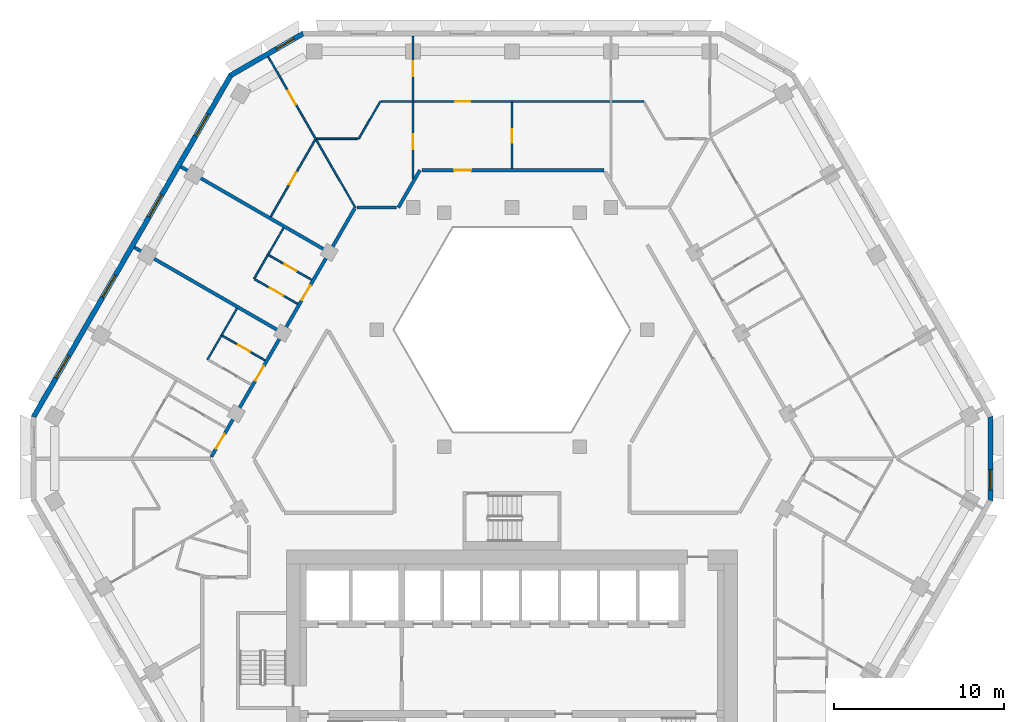
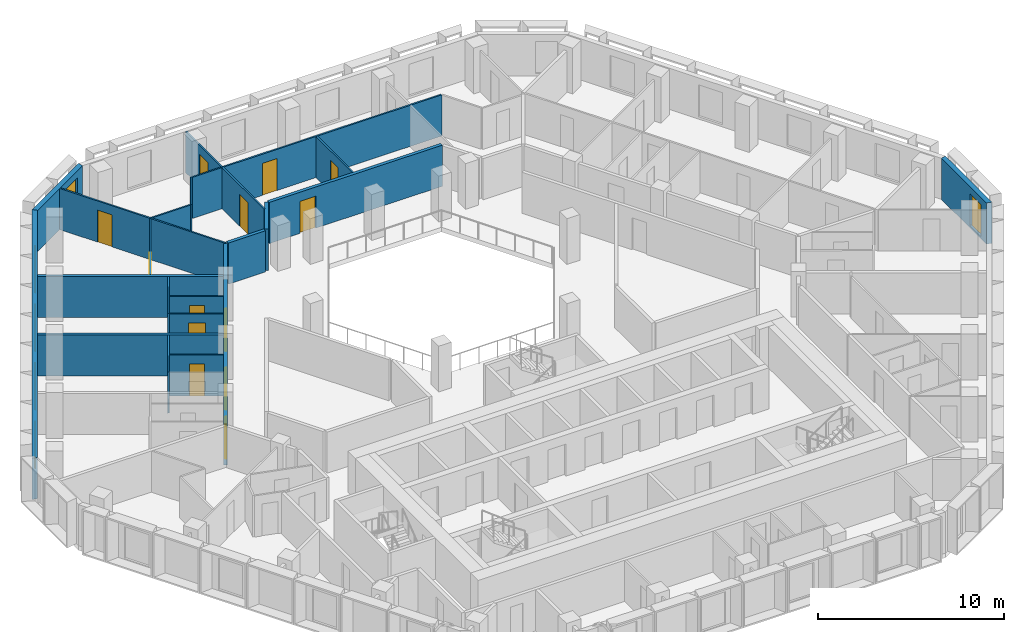
# One storey, part 7 of 15: 22 walls, 13 doors, 6 windows, 19 openings.
"""IFC4 building model written with IfcOpenShell, lengths in metres."""

from ifc_helpers import new_model, si_unit, direction, frame, frame_2d, origin, place, context, subcontext, project, spatial, polyline, rectangle, outline, extrude, material, layer, layer_set, type_object, element, fill, save


model = new_model("IFC4")

# Units and contexts
model_context = context("Model", 3, precision=1e-05, world=origin(), true_north=direction((0.0, 1.0)))
body_context = subcontext(model_context, "Body", "Model", "MODEL_VIEW")
ifc_project = project(units=[si_unit("LENGTHUNIT", "METRE"), si_unit("AREAUNIT", "SQUARE_METRE"), si_unit("VOLUMEUNIT", "CUBIC_METRE"), si_unit("PLANEANGLEUNIT", "RADIAN"), si_unit("MASSUNIT", "GRAM", prefix="KILO")], contexts=[model_context])

# Site, building, storey
site_placement = place(None, origin())
site = spatial("IfcSite", under=ifc_project, at=site_placement, CompositionType="ELEMENT")
building_placement = place(site_placement, origin())
building = spatial("IfcBuilding", under=site, at=building_placement, Name="Beryl Residences", CompositionType="ELEMENT")
storey_placement = place(building_placement, frame((0.0, 0.0, 147.60009765625)))
storey = spatial("IfcBuildingStorey", under=building, at=storey_placement, Name="L45", CompositionType="ELEMENT", Elevation=147.60009765625)

# Wall, opening, window
ifc_material_1 = material(Name="Composite metal panel with mineral wool insulation")
ifc_layer_1 = layer(ifc_material_1, 0.300048828125)
ifc_layer_set_1 = layer_set([ifc_layer_1], Name="ES1 pale metal composite panel wall 300 mm")
wall_type_1 = type_object("IfcWallType", Name="ES1 pale metal composite panel wall 300 mm", PredefinedType="SOLIDWALL", material=ifc_layer_set_1)
wall_1_placement = place(storey_placement, frame((-12.280029296875, 25.469970703125, 0.0), z_axis=(0.0, 0.0, 1.0), x_axis=(-0.866022959057, -0.500004234368, 0.0)))
wall_1 = element("IfcWall", 1, at=wall_1_placement, inside=storey, type_object=wall_type_1, Name="ES1 external wall L45 N-NW", PredefinedType="SOLIDWALL", context=body_context, shape_type="SweptSolid", body=[
    extrude(outline(polyline([(0.0, -0.14990234375), (5.0, -0.14990234375), (4.919677734375, 0.14990234375), (0.080322265625, 0.14990234375), (0.0, -0.14990234375)])), origin(), (0.0, 0.0, 1.0), 2.699951171875),
])
opening_1_placement = place(wall_1_placement, frame((0.64990234375, 0.0, 0.14990234375)))
opening_1 = element("IfcOpeningElement", 2, at=opening_1_placement, cuts=wall_1, Name="Opening W2", PredefinedType="OPENING", context=body_context, shape_type="SweptSolid", body=[
    extrude(rectangle(XDim=1.199951171875, YDim=2.10009765625, at=frame_2d((0.60009765625, 1.050048828125))), frame((0.0, 0.159912109375, 0.0), z_axis=(0.0, -1.0, 0.0), x_axis=(1.0, 0.0, 0.0)), (0.0, 0.0, 1.0), 0.320068359375),
])
ifc_material_2 = material(Name="Aluminium and clear glass", Category="aluminium")
window_type_1 = type_object("IfcWindowType", Name="W2 chamfer window 1200 x 2100 mm", PartitioningType="SINGLE_PANEL", PredefinedType="WINDOW", material=ifc_material_2)
window_1_placement = place(opening_1_placement, origin())
window_1 = element("IfcWindow", 3, at=window_1_placement, inside=storey, type_object=window_type_1, Name="W2 window L45 N-NW 1", OverallHeight=2.10009765625, OverallWidth=1.199951171875, PartitioningType="SINGLE_PANEL", PredefinedType="WINDOW", context=body_context, shape_type="SweptSolid", body=[
    extrude(rectangle(XDim=1.199951171875, YDim=2.10009765625, at=frame_2d((0.60009765625, 1.050048828125))), frame((0.0, 0.030029296875, 0.0), z_axis=(0.0, -1.0, 0.0), x_axis=(1.0, 0.0, 0.0)), (0.0, 0.0, 1.0), 0.06005859375),
])
fill(opening_1, window_1)

# Wall, openings, windows
wall_2_placement = place(storey_placement, frame((-16.554931640625, 23.02490234375, 0.0), z_axis=(0.0, 0.0, 1.0), x_axis=(-0.500020536353, -0.866013546791, 0.0)))
wall_2 = element("IfcWall", 4, at=wall_2_placement, inside=storey, type_object=wall_type_1, Name="ES1 external wall L45 NW", PredefinedType="SOLIDWALL", context=body_context, shape_type="SweptSolid", body=[
    extrude(outline(polyline([(0.0, -0.14990234375), (23.3251953125, -0.14990234375), (23.244873046875, 0.14990234375), (0.080322265625, 0.14990234375), (0.0, -0.14990234375)])), origin(), (0.0, 0.0, 1.0), 2.699951171875),
])
opening_2_placement = place(wall_2_placement, frame((2.68505859375, 0.0, 0.14990234375)))
opening_2 = element("IfcOpeningElement", 5, at=opening_2_placement, cuts=wall_2, Name="Opening W1", PredefinedType="OPENING", context=body_context, shape_type="SweptSolid", body=[
    extrude(rectangle(XDim=1.5, YDim=2.10009765625, at=frame_2d((0.75, 1.050048828125))), frame((0.0, 0.159912109375, 0.0), z_axis=(0.0, -1.0, 0.0), x_axis=(1.0, 0.0, 0.0)), (0.0, 0.0, 1.0), 0.320068359375),
])
opening_3_placement = place(wall_2_placement, frame((8.1708984375, 0.0, 0.14990234375)))
opening_3 = element("IfcOpeningElement", 6, at=opening_3_placement, cuts=wall_2, Name="Opening W1", PredefinedType="OPENING", context=body_context, shape_type="SweptSolid", body=[
    extrude(rectangle(XDim=1.5, YDim=2.10009765625, at=frame_2d((0.75, 1.050048828125))), frame((0.0, 0.159912109375, 0.0), z_axis=(0.0, -1.0, 0.0), x_axis=(1.0, 0.0, 0.0)), (0.0, 0.0, 1.0), 0.320068359375),
])
opening_4_placement = place(wall_2_placement, frame((13.655029296875, 0.0, 0.14990234375)))
opening_4 = element("IfcOpeningElement", 7, at=opening_4_placement, cuts=wall_2, Name="Opening W1", PredefinedType="OPENING", context=body_context, shape_type="SweptSolid", body=[
    extrude(rectangle(XDim=1.5, YDim=2.10009765625, at=frame_2d((0.75, 1.050048828125))), frame((0.0, 0.159912109375, 0.0), z_axis=(0.0, -1.0, 0.0), x_axis=(1.0, 0.0, 0.0)), (0.0, 0.0, 1.0), 0.320068359375),
])
opening_5_placement = place(wall_2_placement, frame((19.139892578125, 0.0, 0.14990234375)))
opening_5 = element("IfcOpeningElement", 8, at=opening_5_placement, cuts=wall_2, Name="Opening W1", PredefinedType="OPENING", context=body_context, shape_type="SweptSolid", body=[
    extrude(rectangle(XDim=1.5, YDim=2.10009765625, at=frame_2d((0.75, 1.050048828125))), frame((0.0, 0.159912109375, 0.0), z_axis=(0.0, -1.0, 0.0), x_axis=(1.0, 0.0, 0.0)), (0.0, 0.0, 1.0), 0.320068359375),
])
ifc_material_3 = material(Name="Aluminium and clear glass", Category="aluminium")
window_type_2 = type_object("IfcWindowType", Name="W1 cell window 1500 x 2100 mm", PartitioningType="SINGLE_PANEL", PredefinedType="WINDOW", material=ifc_material_3)
window_2_placement = place(opening_2_placement, origin())
window_2 = element("IfcWindow", 9, at=window_2_placement, inside=storey, type_object=window_type_2, Name="W1 window L45 NW 2", OverallHeight=2.10009765625, OverallWidth=1.5, PartitioningType="SINGLE_PANEL", PredefinedType="WINDOW", context=body_context, shape_type="SweptSolid", body=[
    extrude(rectangle(XDim=1.5, YDim=2.10009765625, at=frame_2d((0.75, 1.050048828125))), frame((0.0, 0.030029296875, 0.0), z_axis=(0.0, -1.0, 0.0), x_axis=(1.0, 0.0, 0.0)), (0.0, 0.0, 1.0), 0.06005859375),
])
fill(opening_2, window_2)
window_3_placement = place(opening_3_placement, origin())
window_3 = element("IfcWindow", 10, at=window_3_placement, inside=storey, type_object=window_type_2, Name="W1 window L45 NW 4", OverallHeight=2.10009765625, OverallWidth=1.5, PartitioningType="SINGLE_PANEL", PredefinedType="WINDOW", context=body_context, shape_type="SweptSolid", body=[
    extrude(rectangle(XDim=1.5, YDim=2.10009765625, at=frame_2d((0.75, 1.050048828125))), frame((0.0, 0.030029296875, 0.0), z_axis=(0.0, -1.0, 0.0), x_axis=(1.0, 0.0, 0.0)), (0.0, 0.0, 1.0), 0.06005859375),
])
fill(opening_3, window_3)
window_4_placement = place(opening_4_placement, origin())
window_4 = element("IfcWindow", 11, at=window_4_placement, inside=storey, type_object=window_type_2, Name="W1 window L45 NW 6", OverallHeight=2.10009765625, OverallWidth=1.5, PartitioningType="SINGLE_PANEL", PredefinedType="WINDOW", context=body_context, shape_type="SweptSolid", body=[
    extrude(rectangle(XDim=1.5, YDim=2.10009765625, at=frame_2d((0.75, 1.050048828125))), frame((0.0, 0.030029296875, 0.0), z_axis=(0.0, -1.0, 0.0), x_axis=(1.0, 0.0, 0.0)), (0.0, 0.0, 1.0), 0.06005859375),
])
fill(opening_4, window_4)
window_5_placement = place(opening_5_placement, origin())
window_5 = element("IfcWindow", 12, at=window_5_placement, inside=storey, type_object=window_type_2, Name="W1 window L45 NW 8", OverallHeight=2.10009765625, OverallWidth=1.5, PartitioningType="SINGLE_PANEL", PredefinedType="WINDOW", context=body_context, shape_type="SweptSolid", body=[
    extrude(rectangle(XDim=1.5, YDim=2.10009765625, at=frame_2d((0.75, 1.050048828125))), frame((0.0, 0.030029296875, 0.0), z_axis=(0.0, -1.0, 0.0), x_axis=(1.0, 0.0, 0.0)), (0.0, 0.0, 1.0), 0.06005859375),
])
fill(opening_5, window_5)

# Wall, opening, window
wall_3_placement = place(storey_placement, frame((28.197998046875, -2.10009765625, 0.0), z_axis=(0.0, 0.0, 1.0), x_axis=(0.0, 1.0, 0.0)))
wall_3 = element("IfcWall", 13, at=wall_3_placement, inside=storey, type_object=wall_type_1, Name="ES1 external wall L45 SE-NE", PredefinedType="SOLIDWALL", context=body_context, shape_type="SweptSolid", body=[
    extrude(outline(polyline([(0.0, -0.14990234375), (5.0, -0.14990234375), (4.919677734375, 0.14990234375), (0.080322265625, 0.14990234375), (0.0, -0.14990234375)])), origin(), (0.0, 0.0, 1.0), 2.699951171875),
])
opening_6_placement = place(wall_3_placement, frame((0.64990234375, 0.0, 0.14990234375)))
opening_6 = element("IfcOpeningElement", 14, at=opening_6_placement, cuts=wall_3, Name="Opening W2", PredefinedType="OPENING", context=body_context, shape_type="SweptSolid", body=[
    extrude(rectangle(XDim=1.199951171875, YDim=2.10009765625, at=frame_2d((0.60009765625, 1.050048828125))), frame((0.0, 0.159912109375, 0.0), z_axis=(0.0, -1.0, 0.0), x_axis=(1.0, 0.0, 0.0)), (0.0, 0.0, 1.0), 0.320068359375),
])
window_6_placement = place(opening_6_placement, origin())
window_6 = element("IfcWindow", 15, at=window_6_placement, inside=storey, type_object=window_type_1, Name="W2 window L45 SE-NE 1", OverallHeight=2.10009765625, OverallWidth=1.199951171875, PartitioningType="SINGLE_PANEL", PredefinedType="WINDOW", context=body_context, shape_type="SweptSolid", body=[
    extrude(rectangle(XDim=1.199951171875, YDim=2.10009765625, at=frame_2d((0.60009765625, 1.050048828125))), frame((0.0, 0.030029296875, 0.0), z_axis=(0.0, -1.0, 0.0), x_axis=(1.0, 0.0, 0.0)), (0.0, 0.0, 1.0), 0.06005859375),
])
fill(opening_6, window_6)

# Wall, opening, door
ifc_material_4 = material(Name="Gypsum board partition on steel studs", Category="steel")
ifc_layer_2 = layer(ifc_material_4, 0.10009765625)
ifc_layer_set_2 = layer_set([ifc_layer_2], Name="PT1 partition 100 mm gypsum board on steel studs")
wall_type_2 = type_object("IfcWallType", Name="PT1 partition 100 mm gypsum board on steel studs", PredefinedType="PARTITIONING", material=ifc_layer_set_2)
wall_4_placement = place(storey_placement, frame((-14.3701171875, 24.090087890625, 0.0), z_axis=(0.0, 0.0, 1.0), x_axis=(0.50002438799, -0.866011322914, 0.0)))
wall_4 = element("IfcWall", 16, at=wall_4_placement, inside=storey, type_object=wall_type_2, Name="Wall PT1 L45 001", PredefinedType="PARTITIONING", context=body_context, shape_type="SweptSolid", body=[
    extrude(rectangle(XDim=10.265625, YDim=0.10009765625, at=frame_2d((5.1328125, 0.0))), origin(), (0.0, 0.0, 1.0), 2.699951171875),
])
opening_7_placement = place(wall_4_placement, frame((2.346923828125, 0.0, 0.0)))
opening_7 = element("IfcOpeningElement", 17, at=opening_7_placement, cuts=wall_4, Name="Opening D1335", PredefinedType="OPENING", context=body_context, shape_type="SweptSolid", body=[
    extrude(rectangle(XDim=0.89990234375, YDim=2.10009765625, at=frame_2d((0.449951171875, 1.050048828125))), frame((0.0, 0.06005859375, 0.0), z_axis=(0.0, -1.0, 0.0), x_axis=(1.0, 0.0, 0.0)), (0.0, 0.0, 1.0), 0.1201171875),
])
ifc_material_5 = material(Name="Timber door leaf", Category="wood")
door_type_1 = type_object("IfcDoorType", Name="D2 room door 900 x 2100 mm", OperationType="SINGLE_SWING_LEFT", PredefinedType="DOOR", material=ifc_material_5)
door_1_placement = place(opening_7_placement, origin())
door_1 = element("IfcDoor", 18, at=door_1_placement, inside=storey, type_object=door_type_1, Name="Door D1335 L45 001", OperationType="SINGLE_SWING_LEFT", OverallHeight=2.10009765625, OverallWidth=0.89990234375, PredefinedType="DOOR", context=body_context, shape_type="SweptSolid", body=[
    extrude(rectangle(XDim=0.89990234375, YDim=2.10009765625, at=frame_2d((0.449951171875, 1.050048828125))), frame((0.0, 0.02490234375, 0.0), z_axis=(0.0, -1.0, 0.0), x_axis=(1.0, 0.0, 0.0)), (0.0, 0.0, 1.0), 0.050048828125),
])
fill(opening_7, door_1)

wall_5_placement = place(storey_placement, frame((-17.075927734375, 7.64208984375, 0.0), z_axis=(0.0, 0.0, 1.0), x_axis=(0.866003949776, -0.500037157592, 0.0)))
wall_5 = element("IfcWall", 19, at=wall_5_placement, inside=storey, type_object=wall_type_2, Name="Wall PT1 L45 013", PredefinedType="PARTITIONING", context=body_context, shape_type="SweptSolid", body=[
    extrude(rectangle(XDim=2.909912109375, YDim=0.10009765625, at=frame_2d((1.455078125, 0.0))), origin(), (0.0, 0.0, 1.0), 2.699951171875),
])
opening_8_placement = place(wall_5_placement, frame((1.080078125, 0.0, 0.0)))
opening_8 = element("IfcOpeningElement", 20, at=opening_8_placement, cuts=wall_5, Name="Opening D1343", PredefinedType="OPENING", context=body_context, shape_type="SweptSolid", body=[
    extrude(rectangle(XDim=0.800048828125, YDim=2.10009765625, at=frame_2d((0.39990234375, 1.050048828125))), frame((0.0, 0.06005859375, 0.0), z_axis=(0.0, -1.0, 0.0), x_axis=(1.0, 0.0, 0.0)), (0.0, 0.0, 1.0), 0.1201171875),
])
ifc_material_6 = material(Name="Timber door leaf", Category="wood")
door_type_2 = type_object("IfcDoorType", Name="D3 bathroom door 800 x 2100 mm", OperationType="SINGLE_SWING_LEFT", PredefinedType="DOOR", material=ifc_material_6)
door_2_placement = place(opening_8_placement, origin())
door_2 = element("IfcDoor", 21, at=door_2_placement, inside=storey, type_object=door_type_2, Name="Door D1343 L45 001", OperationType="SINGLE_SWING_LEFT", OverallHeight=2.10009765625, OverallWidth=0.800048828125, PredefinedType="DOOR", context=body_context, shape_type="SweptSolid", body=[
    extrude(rectangle(XDim=0.800048828125, YDim=2.10009765625, at=frame_2d((0.39990234375, 1.050048828125))), frame((0.0, 0.02490234375, 0.0), z_axis=(0.0, -1.0, 0.0), x_axis=(1.0, 0.0, 0.0)), (0.0, 0.0, 1.0), 0.050048828125),
])
fill(opening_8, door_2)

wall_6_placement = place(storey_placement, frame((-14.333984375, 12.39208984375, 0.0), z_axis=(0.0, 0.0, 1.0), x_axis=(0.866003949776, -0.500037157592, 0.0)))
wall_6 = element("IfcWall", 22, at=wall_6_placement, inside=storey, type_object=wall_type_2, Name="Wall PT1 L45 015", PredefinedType="PARTITIONING", context=body_context, shape_type="SweptSolid", body=[
    extrude(rectangle(XDim=2.909912109375, YDim=0.10009765625, at=frame_2d((1.455078125, 0.0))), origin(), (0.0, 0.0, 1.0), 2.699951171875),
])
opening_9_placement = place(wall_6_placement, frame((1.080078125, 0.0, 0.0)))
opening_9 = element("IfcOpeningElement", 23, at=opening_9_placement, cuts=wall_6, Name="Opening D1340", PredefinedType="OPENING", context=body_context, shape_type="SweptSolid", body=[
    extrude(rectangle(XDim=0.800048828125, YDim=2.10009765625, at=frame_2d((0.39990234375, 1.050048828125))), frame((0.0, 0.06005859375, 0.0), z_axis=(0.0, -1.0, 0.0), x_axis=(1.0, 0.0, 0.0)), (0.0, 0.0, 1.0), 0.1201171875),
])
door_3_placement = place(opening_9_placement, origin())
door_3 = element("IfcDoor", 24, at=door_3_placement, inside=storey, type_object=door_type_2, Name="Door D1340 L45 001", OperationType="SINGLE_SWING_RIGHT", OverallHeight=2.10009765625, OverallWidth=0.800048828125, PredefinedType="DOOR", context=body_context, shape_type="SweptSolid", body=[
    extrude(rectangle(XDim=0.800048828125, YDim=2.10009765625, at=frame_2d((0.39990234375, 1.050048828125))), frame((0.0, 0.02490234375, 0.0), z_axis=(0.0, -1.0, 0.0), x_axis=(1.0, 0.0, 0.0)), (0.0, 0.0, 1.0), 0.050048828125),
])
fill(opening_9, door_3)

wall_7_placement = place(storey_placement, frame((-15.156005859375, 10.967041015625, 0.0), z_axis=(0.0, 0.0, 1.0), x_axis=(0.866003949776, -0.500037157592, 0.0)))
wall_7 = element("IfcWall", 25, at=wall_7_placement, inside=storey, type_object=wall_type_2, Name="Wall PT1 L45 019", PredefinedType="PARTITIONING", context=body_context, shape_type="SweptSolid", body=[
    extrude(rectangle(XDim=2.909912109375, YDim=0.10009765625, at=frame_2d((1.455078125, 0.0))), origin(), (0.0, 0.0, 1.0), 2.699951171875),
])
opening_10_placement = place(wall_7_placement, frame((1.029052734375, 0.0, 0.0)))
opening_10 = element("IfcOpeningElement", 26, at=opening_10_placement, cuts=wall_7, Name="Opening D1339", PredefinedType="OPENING", context=body_context, shape_type="SweptSolid", body=[
    extrude(rectangle(XDim=0.89990234375, YDim=2.10009765625, at=frame_2d((0.449951171875, 1.050048828125))), frame((0.0, 0.06005859375, 0.0), z_axis=(0.0, -1.0, 0.0), x_axis=(1.0, 0.0, 0.0)), (0.0, 0.0, 1.0), 0.1201171875),
])
door_4_placement = place(opening_10_placement, origin())
door_4 = element("IfcDoor", 27, at=door_4_placement, inside=storey, type_object=door_type_1, Name="Door D1339 L45 001", OperationType="SINGLE_SWING_LEFT", OverallHeight=2.10009765625, OverallWidth=0.89990234375, PredefinedType="DOOR", context=body_context, shape_type="SweptSolid", body=[
    extrude(rectangle(XDim=0.89990234375, YDim=2.10009765625, at=frame_2d((0.449951171875, 1.050048828125))), frame((0.0, 0.02490234375, 0.0), z_axis=(0.0, -1.0, 0.0), x_axis=(1.0, 0.0, 0.0)), (0.0, 0.0, 1.0), 0.050048828125),
])
fill(opening_10, door_4)

# Wall
wall_8_placement = place(storey_placement, frame((-11.51611328125, 19.24609375, 0.0), z_axis=(0.0, 0.0, 1.0), x_axis=(1.0, 0.0, 0.0)))
element("IfcWall", 28, at=wall_8_placement, inside=storey, type_object=wall_type_2, Name="Wall PT1 L45 025", PredefinedType="PARTITIONING", context=body_context, shape_type="SweptSolid", body=[
    extrude(rectangle(XDim=2.425048828125, YDim=0.10009765625, at=frame_2d((1.21240234375, 0.0))), origin(), (0.0, 0.0, 1.0), 2.699951171875),
])

# Wall, opening, door
wall_9_placement = place(storey_placement, frame((-7.7060546875, 21.446044921875, 0.0), z_axis=(0.0, 0.0, 1.0), x_axis=(1.0, 0.0, 0.0)))
wall_9 = element("IfcWall", 29, at=wall_9_placement, inside=storey, type_object=wall_type_2, Name="Wall PT1 L45 027", PredefinedType="PARTITIONING", context=body_context, shape_type="SweptSolid", body=[
    extrude(rectangle(XDim=15.468994140625, YDim=0.10009765625, at=frame_2d((7.734375, 0.0))), origin(), (0.0, 0.0, 1.0), 2.699951171875),
])
opening_11_placement = place(wall_9_placement, frame((4.35009765625, 0.0, 0.0)))
opening_11 = element("IfcOpeningElement", 30, at=opening_11_placement, cuts=wall_9, Name="Opening D1329", PredefinedType="OPENING", context=body_context, shape_type="SweptSolid", body=[
    extrude(rectangle(XDim=0.89990234375, YDim=2.10009765625, at=frame_2d((0.449951171875, 1.050048828125))), frame((0.0, 0.06005859375, 0.0), z_axis=(0.0, -1.0, 0.0), x_axis=(1.0, 0.0, 0.0)), (0.0, 0.0, 1.0), 0.1201171875),
])
door_5_placement = place(opening_11_placement, origin())
door_5 = element("IfcDoor", 31, at=door_5_placement, inside=storey, type_object=door_type_1, Name="Door D1329 L45 001", OperationType="SINGLE_SWING_LEFT", OverallHeight=2.10009765625, OverallWidth=0.89990234375, PredefinedType="DOOR", context=body_context, shape_type="SweptSolid", body=[
    extrude(rectangle(XDim=0.89990234375, YDim=2.10009765625, at=frame_2d((0.449951171875, 1.050048828125))), frame((0.0, 0.02490234375, 0.0), z_axis=(0.0, -1.0, 0.0), x_axis=(1.0, 0.0, 0.0)), (0.0, 0.0, 1.0), 0.050048828125),
])
fill(opening_11, door_5)

# Walls
wall_10_placement = place(storey_placement, frame((-9.032958984375, 19.24609375, 0.0), z_axis=(0.0, 0.0, 1.0), x_axis=(0.499963722229, 0.866046347752, 0.0)))
element("IfcWall", 32, at=wall_10_placement, inside=storey, type_object=wall_type_2, Name="Wall PT1 L45 030", PredefinedType="PARTITIONING", context=body_context, shape_type="SweptSolid", body=[
    extrude(rectangle(XDim=2.540283203125, YDim=0.10009765625, at=frame_2d((1.27001953125, 0.0))), origin(), (0.0, 0.0, 1.0), 2.699951171875),
])
wall_11_placement = place(storey_placement, frame((-17.94189453125, 6.242919921875, 0.0), z_axis=(0.0, 0.0, 1.0), x_axis=(0.49997462182, 0.866040055388, 0.0)))
element("IfcWall", 33, at=wall_11_placement, inside=storey, type_object=wall_type_2, Name="Wall PT1 L45 031", PredefinedType="PARTITIONING", context=body_context, shape_type="SweptSolid", body=[
    extrude(rectangle(XDim=3.464111328125, YDim=0.10009765625, at=frame_2d((1.73193359375, 0.0))), origin(), (0.0, 0.0, 1.0), 2.699951171875),
])
wall_12_placement = place(storey_placement, frame((-15.198974609375, 10.992919921875, 0.0), z_axis=(0.0, 0.0, 1.0), x_axis=(0.499885210257, 0.866091667531, 0.0)))
element("IfcWall", 34, at=wall_12_placement, inside=storey, type_object=wall_type_2, Name="Wall PT1 L45 032", PredefinedType="PARTITIONING", context=body_context, shape_type="SweptSolid", body=[
    extrude(rectangle(XDim=3.462646484375, YDim=0.10009765625, at=frame_2d((1.7314453125, 0.0))), origin(), (0.0, 0.0, 1.0), 2.699951171875),
])

# Wall, opening, door
wall_13_placement = place(storey_placement, frame((-14.221923828125, 14.658935546875, 0.0), z_axis=(0.0, 0.0, 1.0), x_axis=(0.500053212623, 0.865994679283, 0.0)))
wall_13 = element("IfcWall", 35, at=wall_13_placement, inside=storey, type_object=wall_type_2, Name="Wall PT1 L45 034", PredefinedType="PARTITIONING", context=body_context, shape_type="SweptSolid", body=[
    extrude(rectangle(XDim=5.2392578125, YDim=0.10009765625, at=frame_2d((2.61962890625, 0.0))), origin(), (0.0, 0.0, 1.0), 2.699951171875),
])
opening_12_placement = place(wall_13_placement, frame((2.197998046875, 0.0, 0.0)))
opening_12 = element("IfcOpeningElement", 36, at=opening_12_placement, cuts=wall_13, Name="Opening D1337", PredefinedType="OPENING", context=body_context, shape_type="SweptSolid", body=[
    extrude(rectangle(XDim=0.800048828125, YDim=2.10009765625, at=frame_2d((0.39990234375, 1.050048828125))), frame((0.0, 0.06005859375, 0.0), z_axis=(0.0, -1.0, 0.0), x_axis=(1.0, 0.0, 0.0)), (0.0, 0.0, 1.0), 0.1201171875),
])
door_6_placement = place(opening_12_placement, origin())
door_6 = element("IfcDoor", 37, at=door_6_placement, inside=storey, type_object=door_type_2, Name="Door D1337 L45 001", OperationType="SINGLE_SWING_LEFT", OverallHeight=2.10009765625, OverallWidth=0.800048828125, PredefinedType="DOOR", context=body_context, shape_type="SweptSolid", body=[
    extrude(rectangle(XDim=0.800048828125, YDim=2.10009765625, at=frame_2d((0.39990234375, 1.050048828125))), frame((0.0, 0.02490234375, 0.0), z_axis=(0.0, -1.0, 0.0), x_axis=(1.0, 0.0, 0.0)), (0.0, 0.0, 1.0), 0.050048828125),
])
fill(opening_12, door_6)

wall_14_placement = place(storey_placement, frame((0.0, 17.5, 0.0), z_axis=(0.0, 0.0, 1.0), x_axis=(0.0, 1.0, 0.0)))
wall_14 = element("IfcWall", 38, at=wall_14_placement, inside=storey, type_object=wall_type_2, Name="Wall PT1 L45 043", PredefinedType="PARTITIONING", context=body_context, shape_type="SweptSolid", body=[
    extrude(rectangle(XDim=3.89599609375, YDim=0.10009765625, at=frame_2d((1.947998046875, 0.0))), origin(), (0.0, 0.0, 1.0), 2.699951171875),
])
opening_13_placement = place(wall_14_placement, frame((1.52294921875, 0.0, 0.0)))
opening_13 = element("IfcOpeningElement", 39, at=opening_13_placement, cuts=wall_14, Name="Opening D1331", PredefinedType="OPENING", context=body_context, shape_type="SweptSolid", body=[
    extrude(rectangle(XDim=0.800048828125, YDim=2.10009765625, at=frame_2d((0.39990234375, 1.050048828125))), frame((0.0, 0.06005859375, 0.0), z_axis=(0.0, -1.0, 0.0), x_axis=(1.0, 0.0, 0.0)), (0.0, 0.0, 1.0), 0.1201171875),
])
door_7_placement = place(opening_13_placement, origin())
door_7 = element("IfcDoor", 40, at=door_7_placement, inside=storey, type_object=door_type_2, Name="Door D1331 L45 001", OperationType="SINGLE_SWING_LEFT", OverallHeight=2.10009765625, OverallWidth=0.800048828125, PredefinedType="DOOR", context=body_context, shape_type="SweptSolid", body=[
    extrude(rectangle(XDim=0.800048828125, YDim=2.10009765625, at=frame_2d((0.39990234375, 1.050048828125))), frame((0.0, 0.02490234375, 0.0), z_axis=(0.0, -1.0, 0.0), x_axis=(1.0, 0.0, 0.0)), (0.0, 0.0, 1.0), 0.050048828125),
])
fill(opening_13, door_7)

wall_15_placement = place(storey_placement, frame((-5.8310546875, 16.89990234375, 0.0), z_axis=(0.0, 0.0, 1.0), x_axis=(0.0, 1.0, 0.0)))
wall_15 = element("IfcWall", 41, at=wall_15_placement, inside=storey, type_object=wall_type_2, Name="Wall PT1 L45 045", PredefinedType="PARTITIONING", context=body_context, shape_type="SweptSolid", body=[
    extrude(rectangle(XDim=4.546142578125, YDim=0.10009765625, at=frame_2d((2.27294921875, 0.0))), origin(), (0.0, 0.0, 1.0), 2.699951171875),
])
opening_14_placement = place(wall_15_placement, frame((1.722900390625, 0.0, 0.0)))
opening_14 = element("IfcOpeningElement", 42, at=opening_14_placement, cuts=wall_15, Name="Opening D1330", PredefinedType="OPENING", context=body_context, shape_type="SweptSolid", body=[
    extrude(rectangle(XDim=0.89990234375, YDim=2.10009765625, at=frame_2d((0.449951171875, 1.050048828125))), frame((0.0, 0.06005859375, 0.0), z_axis=(0.0, -1.0, 0.0), x_axis=(1.0, 0.0, 0.0)), (0.0, 0.0, 1.0), 0.1201171875),
])
door_8_placement = place(opening_14_placement, origin())
door_8 = element("IfcDoor", 43, at=door_8_placement, inside=storey, type_object=door_type_1, Name="Door D1330 L45 001", OperationType="SINGLE_SWING_RIGHT", OverallHeight=2.10009765625, OverallWidth=0.89990234375, PredefinedType="DOOR", context=body_context, shape_type="SweptSolid", body=[
    extrude(rectangle(XDim=0.89990234375, YDim=2.10009765625, at=frame_2d((0.449951171875, 1.050048828125))), frame((0.0, 0.02490234375, 0.0), z_axis=(0.0, -1.0, 0.0), x_axis=(1.0, 0.0, 0.0)), (0.0, 0.0, 1.0), 0.050048828125),
])
fill(opening_14, door_8)

wall_16_placement = place(storey_placement, frame((-5.8310546875, 21.446044921875, 0.0), z_axis=(0.0, 0.0, 1.0), x_axis=(0.0, 1.0, 0.0)))
wall_16 = element("IfcWall", 44, at=wall_16_placement, inside=storey, type_object=wall_type_2, Name="Wall PT1 L45 056", PredefinedType="PARTITIONING", context=body_context, shape_type="SweptSolid", body=[
    extrude(rectangle(XDim=3.85400390625, YDim=0.10009765625, at=frame_2d((1.927001953125, 0.0))), origin(), (0.0, 0.0, 1.0), 2.699951171875),
])
opening_15_placement = place(wall_16_placement, frame((1.47705078125, 0.0, 0.0)))
opening_15 = element("IfcOpeningElement", 45, at=opening_15_placement, cuts=wall_16, Name="Opening D1333", PredefinedType="OPENING", context=body_context, shape_type="SweptSolid", body=[
    extrude(rectangle(XDim=0.89990234375, YDim=2.10009765625, at=frame_2d((0.449951171875, 1.050048828125))), frame((0.0, 0.06005859375, 0.0), z_axis=(0.0, -1.0, 0.0), x_axis=(1.0, 0.0, 0.0)), (0.0, 0.0, 1.0), 0.1201171875),
])
door_9_placement = place(opening_15_placement, origin())
door_9 = element("IfcDoor", 46, at=door_9_placement, inside=storey, type_object=door_type_1, Name="Door D1333 L45 001", OperationType="SINGLE_SWING_LEFT", OverallHeight=2.10009765625, OverallWidth=0.89990234375, PredefinedType="DOOR", context=body_context, shape_type="SweptSolid", body=[
    extrude(rectangle(XDim=0.89990234375, YDim=2.10009765625, at=frame_2d((0.449951171875, 1.050048828125))), frame((0.0, 0.02490234375, 0.0), z_axis=(0.0, -1.0, 0.0), x_axis=(1.0, 0.0, 0.0)), (0.0, 0.0, 1.0), 0.050048828125),
])
fill(opening_15, door_9)

# Walls
ifc_material_7 = material(Name="Acoustic double stud gypsum board wall")
ifc_layer_3 = layer(ifc_material_7, 0.199951171875)
ifc_layer_set_3 = layer_set([ifc_layer_3], Name="PT3 party wall 200 mm acoustic double stud")
wall_type_3 = type_object("IfcWallType", Name="PT3 party wall 200 mm acoustic double stud", PredefinedType="PARTITIONING", material=ifc_layer_set_3)
wall_17_placement = place(storey_placement, frame((-22.257080078125, 12.85009765625, 0.0), z_axis=(0.0, 0.0, 1.0), x_axis=(0.866047370643, -0.499961950354, 0.0)))
element("IfcWall", 47, at=wall_17_placement, inside=storey, type_object=wall_type_3, Name="Wall PT3 L45 003", PredefinedType="PARTITIONING", context=body_context, shape_type="SweptSolid", body=[
    extrude(rectangle(XDim=10.000732421875, YDim=0.199951171875, at=frame_2d((5.00048828125, 0.0))), origin(), (0.0, 0.0, 1.0), 2.699951171875),
])
wall_18_placement = place(storey_placement, frame((-19.513916015625, 17.59912109375, 0.0), z_axis=(0.0, 0.0, 1.0), x_axis=(0.866059142644, -0.499941558027, 0.0)))
element("IfcWall", 48, at=wall_18_placement, inside=storey, type_object=wall_type_3, Name="Wall PT3 L45 004", PredefinedType="PARTITIONING", context=body_context, shape_type="SweptSolid", body=[
    extrude(rectangle(XDim=9.999267578125, YDim=0.199951171875, at=frame_2d((4.99951171875, 0.0))), origin(), (0.0, 0.0, 1.0), 2.699951171875),
])
ifc_material_8 = material(Name="Double stud gypsum board wall")
ifc_layer_4 = layer(ifc_material_8, 0.199951171875)
ifc_layer_set_4 = layer_set([ifc_layer_4], Name="PT4 corridor wall 200 mm double stud")
wall_type_4 = type_object("IfcWallType", Name="PT4 corridor wall 200 mm double stud", PredefinedType="PARTITIONING", material=ifc_layer_set_4)
wall_19_placement = place(storey_placement, frame((-9.12109375, 15.199951171875, 0.0), z_axis=(0.0, 0.0, 1.0), x_axis=(1.0, 0.0, 0.0)))
element("IfcWall", 49, at=wall_19_placement, inside=storey, type_object=wall_type_4, Name="Wall PT4 L45 014", PredefinedType="PARTITIONING", context=body_context, shape_type="SweptSolid", body=[
    extrude(rectangle(XDim=2.30810546875, YDim=0.199951171875, at=frame_2d((1.154052734375, 0.0))), origin(), (0.0, 0.0, 1.0), 2.699951171875),
])

# Wall, opening, door
wall_20_placement = place(storey_placement, frame((-5.31201171875, 17.39990234375, 0.0), z_axis=(0.0, 0.0, 1.0), x_axis=(1.0, 0.0, 0.0)))
wall_20 = element("IfcWall", 50, at=wall_20_placement, inside=storey, type_object=wall_type_4, Name="Wall PT4 L45 016", PredefinedType="PARTITIONING", context=body_context, shape_type="SweptSolid", body=[
    extrude(rectangle(XDim=10.739013671875, YDim=0.199951171875, at=frame_2d((5.36962890625, 0.0))), origin(), (0.0, 0.0, 1.0), 2.699951171875),
])
opening_16_placement = place(wall_20_placement, frame((1.89599609375, 0.0, 0.0)))
opening_16 = element("IfcOpeningElement", 51, at=opening_16_placement, cuts=wall_20, Name="Opening D1328", PredefinedType="OPENING", context=body_context, shape_type="SweptSolid", body=[
    extrude(rectangle(XDim=1.0, YDim=2.10009765625, at=frame_2d((0.5, 1.050048828125))), frame((0.0, 0.10986328125, 0.0), z_axis=(0.0, -1.0, 0.0), x_axis=(1.0, 0.0, 0.0)), (0.0, 0.0, 1.0), 0.219970703125),
])
ifc_material_9 = material(Name="Timber door leaf", Category="wood")
door_type_3 = type_object("IfcDoorType", Name="D1 flat entrance door 1000 x 2100 mm", OperationType="SINGLE_SWING_LEFT", PredefinedType="DOOR", material=ifc_material_9)
door_10_placement = place(opening_16_placement, origin())
door_10 = element("IfcDoor", 52, at=door_10_placement, inside=storey, type_object=door_type_3, Name="Door D1328 L45 001", OperationType="SINGLE_SWING_RIGHT", OverallHeight=2.10009765625, OverallWidth=1.0, PredefinedType="DOOR", context=body_context, shape_type="SweptSolid", body=[
    extrude(rectangle(XDim=1.0, YDim=2.10009765625, at=frame_2d((0.5, 1.050048828125))), frame((0.0, 0.02490234375, 0.0), z_axis=(0.0, -1.0, 0.0), x_axis=(1.0, 0.0, 0.0)), (0.0, 0.0, 1.0), 0.050048828125),
])
fill(opening_16, door_10)

# Wall
wall_21_placement = place(storey_placement, frame((-6.697021484375, 15.199951171875, 0.0), z_axis=(0.0, 0.0, 1.0), x_axis=(0.499963722229, 0.866046347752, 0.0)))
element("IfcWall", 53, at=wall_21_placement, inside=storey, type_object=wall_type_4, Name="Wall PT4 L45 021", PredefinedType="PARTITIONING", context=body_context, shape_type="SweptSolid", body=[
    extrude(rectangle(XDim=2.540283203125, YDim=0.199951171875, at=frame_2d((1.27001953125, 0.0))), origin(), (0.0, 0.0, 1.0), 2.699951171875),
])

# Wall, openings, doors
wall_22_placement = place(storey_placement, frame((-17.72412109375, 0.5, 0.0), z_axis=(0.0, 0.0, 1.0), x_axis=(0.499994801602, 0.86602840506, 0.0)))
wall_22 = element("IfcWall", 54, at=wall_22_placement, inside=storey, type_object=wall_type_4, Name="Wall PT4 L45 022", PredefinedType="PARTITIONING", context=body_context, shape_type="SweptSolid", body=[
    extrude(rectangle(XDim=16.916259765625, YDim=0.199951171875, at=frame_2d((8.4580078125, 0.0))), origin(), (0.0, 0.0, 1.0), 2.699951171875),
])
opening_17_placement = place(wall_22_placement, frame((10.672119140625, 0.0, 0.0)))
opening_17 = element("IfcOpeningElement", 55, at=opening_17_placement, cuts=wall_22, Name="Opening D1338", PredefinedType="OPENING", context=body_context, shape_type="SweptSolid", body=[
    extrude(rectangle(XDim=1.0, YDim=2.10009765625, at=frame_2d((0.5, 1.050048828125))), frame((0.0, 0.10986328125, 0.0), z_axis=(0.0, -1.0, 0.0), x_axis=(1.0, 0.0, 0.0)), (0.0, 0.0, 1.0), 0.219970703125),
])
opening_18_placement = place(wall_22_placement, frame((5.18701171875, 0.0, 0.0)))
opening_18 = element("IfcOpeningElement", 56, at=opening_18_placement, cuts=wall_22, Name="Opening D1341", PredefinedType="OPENING", context=body_context, shape_type="SweptSolid", body=[
    extrude(rectangle(XDim=1.0, YDim=2.10009765625, at=frame_2d((0.5, 1.050048828125))), frame((0.0, 0.10986328125, 0.0), z_axis=(0.0, -1.0, 0.0), x_axis=(1.0, 0.0, 0.0)), (0.0, 0.0, 1.0), 0.219970703125),
])
opening_19_placement = place(wall_22_placement, frame((0.56591796875, 0.0, 0.0)))
opening_19 = element("IfcOpeningElement", 57, at=opening_19_placement, cuts=wall_22, Name="Opening D1344", PredefinedType="OPENING", context=body_context, shape_type="SweptSolid", body=[
    extrude(rectangle(XDim=1.0, YDim=2.10009765625, at=frame_2d((0.5, 1.050048828125))), frame((0.0, 0.10986328125, 0.0), z_axis=(0.0, -1.0, 0.0), x_axis=(1.0, 0.0, 0.0)), (0.0, 0.0, 1.0), 0.219970703125),
])
door_11_placement = place(opening_17_placement, origin())
door_11 = element("IfcDoor", 58, at=door_11_placement, inside=storey, type_object=door_type_3, Name="Door D1338 L45 001", OperationType="SINGLE_SWING_RIGHT", OverallHeight=2.10009765625, OverallWidth=1.0, PredefinedType="DOOR", context=body_context, shape_type="SweptSolid", body=[
    extrude(rectangle(XDim=1.0, YDim=2.10009765625, at=frame_2d((0.5, 1.050048828125))), frame((0.0, 0.02490234375, 0.0), z_axis=(0.0, -1.0, 0.0), x_axis=(1.0, 0.0, 0.0)), (0.0, 0.0, 1.0), 0.050048828125),
])
fill(opening_17, door_11)
door_12_placement = place(opening_18_placement, origin())
door_12 = element("IfcDoor", 59, at=door_12_placement, inside=storey, type_object=door_type_3, Name="Door D1341 L45 001", OperationType="SINGLE_SWING_LEFT", OverallHeight=2.10009765625, OverallWidth=1.0, PredefinedType="DOOR", context=body_context, shape_type="SweptSolid", body=[
    extrude(rectangle(XDim=1.0, YDim=2.10009765625, at=frame_2d((0.5, 1.050048828125))), frame((0.0, 0.02490234375, 0.0), z_axis=(0.0, -1.0, 0.0), x_axis=(1.0, 0.0, 0.0)), (0.0, 0.0, 1.0), 0.050048828125),
])
fill(opening_18, door_12)
door_13_placement = place(opening_19_placement, origin())
door_13 = element("IfcDoor", 60, at=door_13_placement, inside=storey, type_object=door_type_3, Name="Door D1344 L45 001", OperationType="SINGLE_SWING_RIGHT", OverallHeight=2.10009765625, OverallWidth=1.0, PredefinedType="DOOR", context=body_context, shape_type="SweptSolid", body=[
    extrude(rectangle(XDim=1.0, YDim=2.10009765625, at=frame_2d((0.5, 1.050048828125))), frame((0.0, 0.02490234375, 0.0), z_axis=(0.0, -1.0, 0.0), x_axis=(1.0, 0.0, 0.0)), (0.0, 0.0, 1.0), 0.050048828125),
])
fill(opening_19, door_13)

save(model, "model.ifc")
